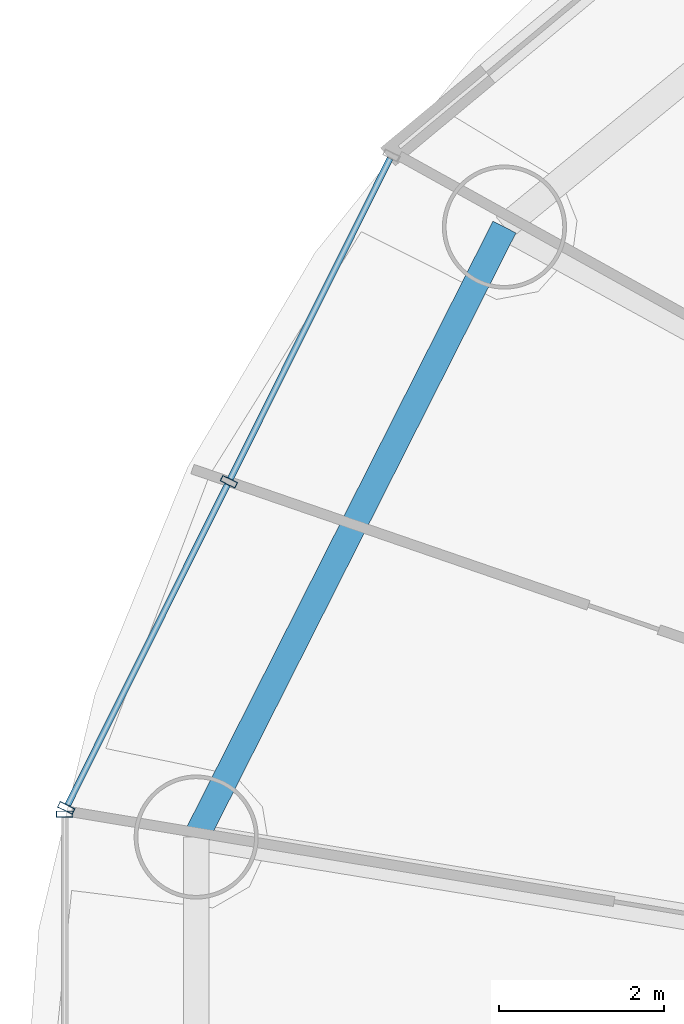
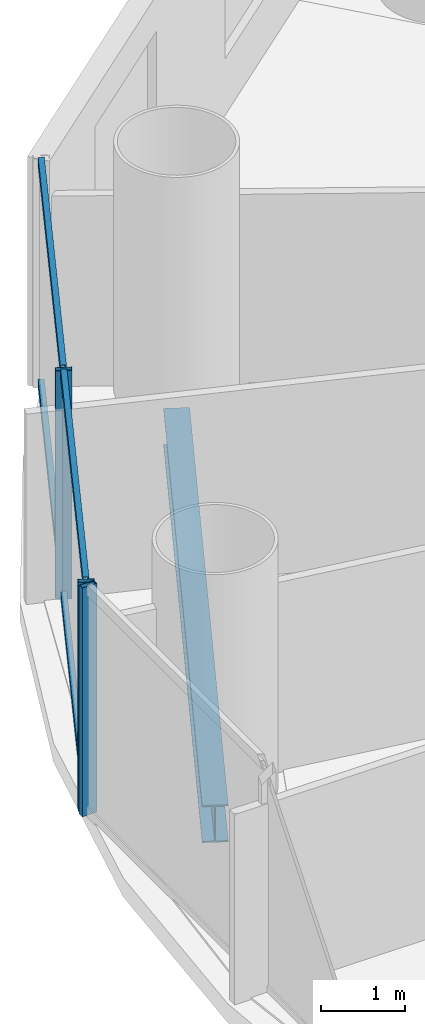
# One storey, part 9 of 29: 7 members, 1 beam, 2 elements without a shape of their own.
"""IFC4 building model written with IfcOpenShell, lengths in metres."""

from ifc_helpers import new_model, si_unit, direction, frame, origin, origin_2d, place, context, subcontext, project, spatial, hollow_rectangle, i_section, extrude, source, transform, mapped, material, material_profile, profile_set, type_object, element, aggregate, save


model = new_model("IFC4")

# Units and contexts
model_context = context("Model", 3, precision=1e-05, world=origin(), true_north=direction((-0.2419218956, 0.970295726276)))
body_context = subcontext(model_context, "Body", "Model", "MODEL_VIEW")
ifc_project = project(units=[si_unit("LENGTHUNIT", "METRE"), si_unit("AREAUNIT", "SQUARE_METRE"), si_unit("VOLUMEUNIT", "CUBIC_METRE"), si_unit("PLANEANGLEUNIT", "RADIAN"), si_unit("MASSUNIT", "GRAM", prefix="KILO")], contexts=[model_context])

# Site, building, storey
site_placement = place(None, origin())
site = spatial("IfcSite", under=ifc_project, at=site_placement, CompositionType="ELEMENT")
building_placement = place(site_placement, origin())
building = spatial("IfcBuilding", under=site, at=building_placement, Name="Cobrevalo Terracotta Tower", CompositionType="ELEMENT")
storey_placement = place(building_placement, frame((0.0, 0.0, 119.39990234375)))
storey = spatial("IfcBuildingStorey", under=building, at=storey_placement, Name="L31", CompositionType="ELEMENT", Elevation=119.39990234375)

# Beam
ifc_material_1 = material(Name="Steel S355", Category="steel")
ifc_material_profile_1 = material_profile(ifc_material_1, i_section(OverallWidth=0.31201171875, OverallDepth=0.54296875, WebThickness=0.0126953125, FlangeThickness=0.020263671875, at=origin_2d()), Name="W 530x150")
ifc_profile_set_1 = profile_set([ifc_material_profile_1], Name="Steel S355")
beam_type = type_object("IfcBeamType", Name="Structural Spandrel W 530x150 (Steel S355)", PredefinedType="SPANDREL", material=ifc_profile_set_1)
beam_placement = place(storey_placement, frame((17.2548828125, 38.161376953125, -0.54638671875), z_axis=(-0.451051982172, -0.892497680321, 0.0), x_axis=(0.892497680321, -0.451051982172, 0.0)))
element("IfcBeam", 1, at=beam_placement, inside=storey, type_object=beam_type, Name="L31 perimeter ring spandrel 07", PredefinedType="SPANDREL", context=body_context, shape_type="SweptSolid", body=[
    extrude(i_section(OverallWidth=0.31201171875, OverallDepth=0.54296875, WebThickness=0.0126953125, FlangeThickness=0.020263671875, at=origin_2d()), origin(), (0.0, 0.0, 1.0), 8.259765625),
])

# Curtain wall, members
ifc_material_2 = material(Name="Anodized aluminium", Category="aluminium")
curtain_wall_type = type_object("IfcCurtainWallType", Name="Lower-tower unitised acoustic low-E curtain wall CW-U1", PredefinedType="NOTDEFINED", material=ifc_material_2)
curtain_wall_1_placement = place(storey_placement, origin())
curtain_wall_1 = element("IfcCurtainWall", 2, at=curtain_wall_1_placement, inside=storey, type_object=curtain_wall_type, Name="L31 curtain wall CW-L31-S07", PredefinedType="NOTDEFINED")
ifc_material_profile_2 = material_profile(ifc_material_2, hollow_rectangle(XDim=0.074951171875, YDim=0.14990234375, WallThickness=0.00439453125, at=origin_2d()), Name="CWT 75x150")
ifc_profile_set_2 = profile_set([ifc_material_profile_2], Name="Anodized aluminium")
member_type_1 = type_object("IfcMemberType", Name="Tower unitised aluminium transom 75x150", PredefinedType="USERDEFINED", material=ifc_profile_set_2)
shared_shape_1 = source(origin(), body_context, "Body", "SweptSolid", [
    extrude(hollow_rectangle(XDim=0.074951171875, YDim=0.14990234375, WallThickness=0.00439453125, at=origin_2d()), origin(), (0.0, 0.0, 1.0), 4.324951171875),
])
member_1_placement = place(storey_placement, frame((15.8720703125, 38.98974609375, 0.050048828125), z_axis=(-0.44624238083, -0.894912139571, 0.0), x_axis=(0.894912139571, -0.44624238083, 0.0)))
member_1 = element("IfcMember", 3, at=member_1_placement, type_object=member_type_1, Name="CW-L31-S07 transom B01-T1", ObjectType="TRANSOM", PredefinedType="USERDEFINED", context=body_context, shape_type="MappedRepresentation", body=[
    mapped(shared_shape_1, transform((0.0, 0.0, 0.0), scale=1.0)),
])
member_2_placement = place(storey_placement, frame((15.8720703125, 38.98974609375, 3.275146484375), z_axis=(-0.44624238083, -0.894912139571, 0.0), x_axis=(0.894912139571, -0.44624238083, 0.0)))
member_2 = element("IfcMember", 4, at=member_2_placement, type_object=member_type_1, Name="CW-L31-S07 transom B01-T2", ObjectType="TRANSOM", PredefinedType="USERDEFINED", context=body_context, shape_type="MappedRepresentation", body=[
    mapped(shared_shape_1, transform((0.0, 0.0, 0.0), scale=1.0)),
])
member_3_placement = place(storey_placement, frame((13.90625, 35.0478515625, 0.050048828125), z_axis=(-0.446219838389, -0.894923379864, 0.0), x_axis=(0.894923379864, -0.446219838389, 0.0)))
member_3 = element("IfcMember", 5, at=member_3_placement, type_object=member_type_1, Name="CW-L31-S07 transom B02-T1", ObjectType="TRANSOM", PredefinedType="USERDEFINED", context=body_context, shape_type="MappedRepresentation", body=[
    mapped(shared_shape_1, transform((0.0, 0.0, 0.0), scale=1.0)),
])
member_4_placement = place(storey_placement, frame((13.90625, 35.0478515625, 3.275146484375), z_axis=(-0.446219838389, -0.894923379864, 0.0), x_axis=(0.894923379864, -0.446219838389, 0.0)))
member_4 = element("IfcMember", 6, at=member_4_placement, type_object=member_type_1, Name="CW-L31-S07 transom B02-T2", ObjectType="TRANSOM", PredefinedType="USERDEFINED", context=body_context, shape_type="MappedRepresentation", body=[
    mapped(shared_shape_1, transform((0.0, 0.0, 0.0), scale=1.0)),
])
ifc_material_profile_3 = material_profile(ifc_material_2, hollow_rectangle(XDim=0.074951171875, YDim=0.199951171875, WallThickness=0.0048828125, at=origin_2d()), Name="CWM 75x200")
ifc_profile_set_3 = profile_set([ifc_material_profile_3], Name="Anodized aluminium")
member_type_2 = type_object("IfcMemberType", Name="Lower/mid tower unitised mullion 75x200", PredefinedType="MULLION", material=ifc_profile_set_3)
shared_shape_2 = source(origin(), body_context, "Body", "SweptSolid", [
    extrude(hollow_rectangle(XDim=0.074951171875, YDim=0.199951171875, WallThickness=0.0048828125, at=origin_2d()), origin(), (0.0, 0.0, 1.0), 3.3251953125),
])
member_5_placement = place(storey_placement, frame((13.924072265625, 35.08349609375, 0.0), z_axis=(0.0, 0.0, 1.0), x_axis=(-0.446260290227, -0.894903208937, 0.0)))
member_5 = element("IfcMember", 7, at=member_5_placement, type_object=member_type_2, Name="CW-L31-S07 vertical mullion 02", PredefinedType="MULLION", context=body_context, shape_type="MappedRepresentation", body=[
    mapped(shared_shape_2, transform((0.0, 0.0, 0.0), scale=1.0)),
])
member_6_placement = place(storey_placement, frame((11.95849609375, 31.141357421875, 0.0), z_axis=(0.0, 0.0, 1.0), x_axis=(-0.446260290227, -0.894903208937, 0.0)))
member_6 = element("IfcMember", 8, at=member_6_placement, type_object=member_type_2, Name="CW-L31-S07 vertical mullion 03", PredefinedType="MULLION", context=body_context, shape_type="MappedRepresentation", body=[
    mapped(shared_shape_2, transform((0.0, 0.0, 0.0), scale=1.0)),
])
aggregate(curtain_wall_1, [member_5, member_6, member_1, member_2, member_3, member_4])

# Curtain wall, member
curtain_wall_2_placement = place(storey_placement, origin())
curtain_wall_2 = element("IfcCurtainWall", 9, at=curtain_wall_2_placement, inside=storey, type_object=curtain_wall_type, Name="L31 curtain wall CW-L31-S08", PredefinedType="NOTDEFINED")
member_7_placement = place(storey_placement, frame((11.9404296875, 31.065673828125, 0.0), z_axis=(0.0, 0.0, 1.0), x_axis=(0.0, -1.0, 0.0)))
member_7 = element("IfcMember", 10, at=member_7_placement, type_object=member_type_2, Name="CW-L31-S08 vertical mullion 01", PredefinedType="MULLION", context=body_context, shape_type="MappedRepresentation", body=[
    mapped(shared_shape_2, transform((0.0, 0.0, 0.0), scale=1.0)),
])
aggregate(curtain_wall_2, [member_7])

save(model, "model.ifc")
